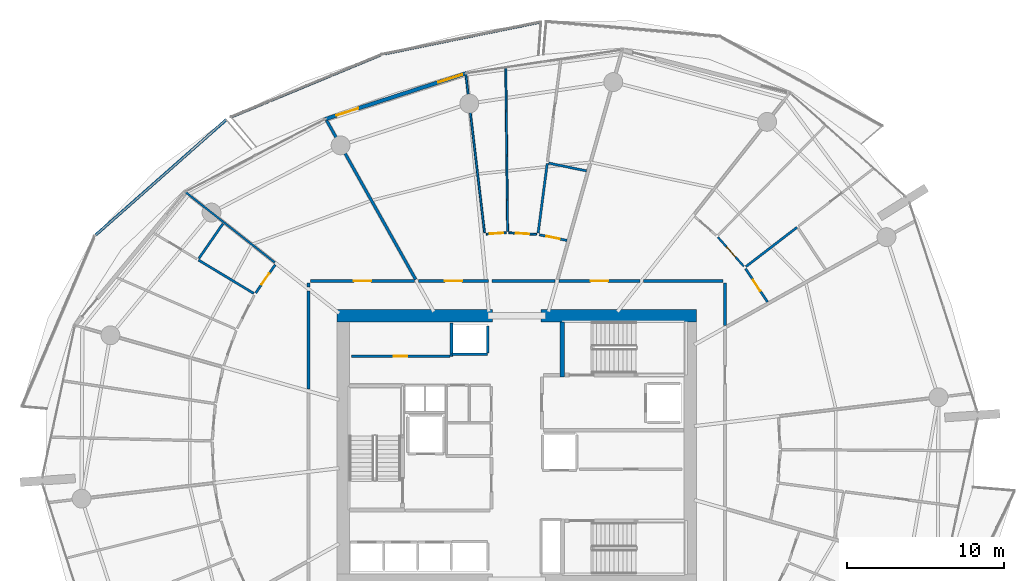
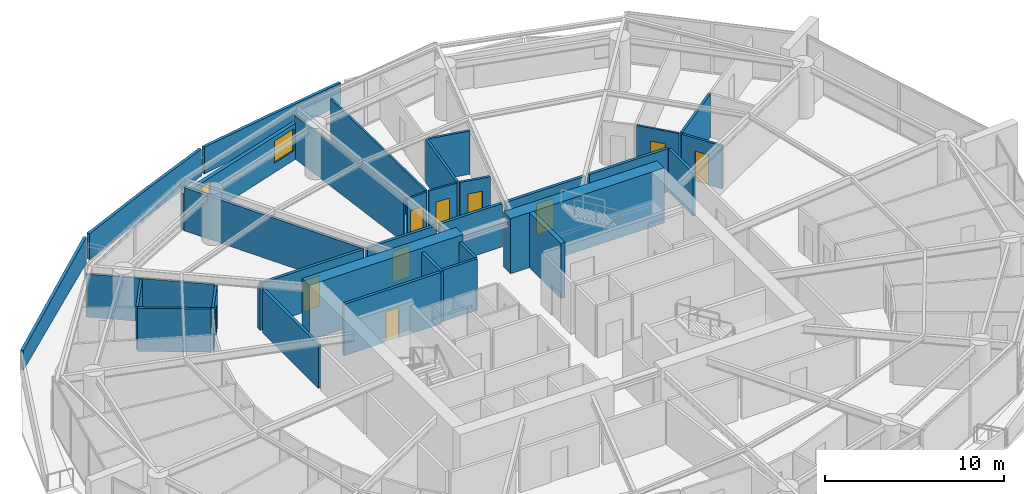
# One storey, part 15 of 23: 34 walls, 11 doors, 1 window, 12 openings.
"""IFC4 building model written with IfcOpenShell, lengths in metres."""

from ifc_helpers import new_model, si_unit, direction, frame, frame_2d, origin, place, context, subcontext, project, spatial, polyline, rectangle, outline, extrude, material, layer, layer_set, type_object, element, fill, save


model = new_model("IFC4")

# Units and contexts
model_context = context("Model", 3, precision=1e-05, world=origin(), true_north=direction((0.0, 1.0)))
body_context = subcontext(model_context, "Body", "Model", "MODEL_VIEW")
ifc_project = project(units=[si_unit("LENGTHUNIT", "METRE"), si_unit("AREAUNIT", "SQUARE_METRE"), si_unit("VOLUMEUNIT", "CUBIC_METRE"), si_unit("PLANEANGLEUNIT", "RADIAN"), si_unit("MASSUNIT", "GRAM", prefix="KILO")], contexts=[model_context])

# Site, building, storey
site_placement = place(None, origin())
site = spatial("IfcSite", under=ifc_project, at=site_placement, CompositionType="ELEMENT")
building_placement = place(site_placement, origin())
building = spatial("IfcBuilding", under=site, at=building_placement, Name="Kazma Halo Residences", CompositionType="ELEMENT")
storey_placement = place(building_placement, frame((0.0, 0.0, 86.39990234375)))
storey = spatial("IfcBuildingStorey", under=building, at=storey_placement, Name="L21", CompositionType="ELEMENT", Elevation=86.39990234375)

# Walls
ifc_material_1 = material(Name="White Concrete C50/60 Balustrade", Category="concrete")
ifc_layer_1 = layer(ifc_material_1, 0.179931640625)
ifc_layer_set_1 = layer_set([ifc_layer_1], Name="White Concrete C50/60 Balustrade")
wall_type_1 = type_object("IfcWallType", Name="WL-BAL-WAVE-180", PredefinedType="PARAPET", material=ifc_layer_set_1)
wall_1_placement = place(storey_placement, frame((49.963134765625, 69.054931640625, 0.0), z_axis=(0.0, 0.0, 1.0), x_axis=(-0.979793885894, -0.200009852668, 0.0)))
element("IfcWall", 1, at=wall_1_placement, inside=storey, type_object=wall_type_1, Name="L21 white wave balustrade wall NNW.1", PredefinedType="PARAPET", context=body_context, shape_type="SweptSolid", body=[
    extrude(outline(polyline([(0.0, 0.0), (10.1728515625, 0.0), (10.1728515625, 1.83203125), (5.08642578125, 1.696044921875), (0.0, 1.4970703125), (0.0, 0.0)])), frame((0.0, 0.08984375, 0.0), z_axis=(0.0, -1.0, 0.0), x_axis=(1.0, 0.0, 0.0)), (0.0, 0.0, 1.0), 0.179931640625),
])
wall_2_placement = place(storey_placement, frame((39.767333984375, 66.9501953125, 0.0), z_axis=(0.0, 0.0, 1.0), x_axis=(-0.92370541506, -0.383103518894, 0.0)))
element("IfcWall", 2, at=wall_2_placement, inside=storey, type_object=wall_type_1, Name="L21 white wave balustrade wall NNW.2", PredefinedType="PARAPET", context=body_context, shape_type="SweptSolid", body=[
    extrude(outline(polyline([(0.0, 0.0), (10.27734375, 0.0), (10.27734375, 1.756103515625), (5.138671875, 1.85302734375), (0.0, 1.83203125), (0.0, 0.0)])), frame((0.0, 0.08984375, 0.0), z_axis=(0.0, -1.0, 0.0), x_axis=(1.0, 0.0, 0.0)), (0.0, 0.0, 1.0), 0.179931640625),
])
wall_3_placement = place(storey_placement, frame((29.978271484375, 62.841796875, 0.0), z_axis=(0.0, 0.0, 1.0), x_axis=(-0.749623748339, -0.661864212604, 0.0)))
element("IfcWall", 3, at=wall_3_placement, inside=storey, type_object=wall_type_1, Name="L21 white wave balustrade wall NW.1", PredefinedType="PARAPET", context=body_context, shape_type="SweptSolid", body=[
    extrude(outline(polyline([(0.0, 0.0), (11.0498046875, 0.0), (11.0498046875, 1.34814453125), (5.52490234375, 1.56201171875), (0.0, 1.7470703125), (0.0, 0.0)])), frame((0.0, 0.08984375, 0.0), z_axis=(0.0, -1.0, 0.0), x_axis=(1.0, 0.0, 0.0)), (0.0, 0.0, 1.0), 0.179931640625),
])
ifc_material_2 = material(Name="Concrete C80/95", Category="concrete")
ifc_layer_2 = layer(ifc_material_2, 0.800048828125)
ifc_layer_set_2 = layer_set([ifc_layer_2], Name="Concrete C80/95")
wall_type_2 = type_object("IfcWallType", Name="WL-CORE-800", PredefinedType="SHEAR", material=ifc_layer_set_2)
wall_4_placement = place(storey_placement, frame((37.0, 50.39990234375, 0.0), z_axis=(0.0, 0.0, 1.0), x_axis=(1.0, 0.0, 0.0)))
element("IfcWall", 4, at=wall_4_placement, inside=storey, type_object=wall_type_2, Name="L21 central core shear wall NW", PredefinedType="SHEAR", context=body_context, shape_type="SweptSolid", body=[
    extrude(rectangle(XDim=9.89990234375, YDim=0.800048828125, at=frame_2d((4.949951171875, 0.0))), origin(), (0.0, 0.0, 1.0), 3.75),
])
wall_5_placement = place(storey_placement, frame((49.949951171875, 50.39990234375, 0.0), z_axis=(0.0, 0.0, 1.0), x_axis=(1.0, 0.0, 0.0)))
element("IfcWall", 5, at=wall_5_placement, inside=storey, type_object=wall_type_2, Name="L21 central core shear wall NE", PredefinedType="SHEAR", context=body_context, shape_type="SweptSolid", body=[
    extrude(rectangle(XDim=9.900146484375, YDim=0.800048828125, at=frame_2d((4.9501953125, 0.0))), origin(), (0.0, 0.0, 1.0), 3.75),
])
ifc_material_3 = material(Name="Concrete C60/75", Category="concrete")
ifc_layer_3 = layer(ifc_material_3, 0.280029296875)
ifc_layer_set_3 = layer_set([ifc_layer_3], Name="Concrete C60/75")
wall_type_3 = type_object("IfcWallType", Name="WL-CORE-ST-280", PredefinedType="SHEAR", material=ifc_layer_set_3)
wall_6_placement = place(storey_placement, frame((51.31005859375, 46.5, 0.0), z_axis=(0.0, 0.0, 1.0), x_axis=(0.0, 1.0, 0.0)))
element("IfcWall", 6, at=wall_6_placement, inside=storey, type_object=wall_type_3, Name="L21 stairwell bearing wall ST02-W", PredefinedType="SHEAR", context=body_context, shape_type="SweptSolid", body=[
    extrude(rectangle(XDim=3.5, YDim=0.280029296875, at=frame_2d((1.75, 0.0))), origin(), (0.0, 0.0, 1.0), 3.75),
])
ifc_material_4 = material(Name="Acoustic Twin-Stud Gypsum")
ifc_layer_4 = layer(ifc_material_4, 0.179931640625)
ifc_layer_set_4 = layer_set([ifc_layer_4], Name="Acoustic Twin-Stud Gypsum")
wall_type_4 = type_object("IfcWallType", Name="WL-DEM-180", PredefinedType="PARTITIONING", material=ifc_layer_set_4)
wall_7_placement = place(storey_placement, frame((42.010009765625, 52.696044921875, 0.0), z_axis=(0.0, 0.0, 1.0), x_axis=(-0.488628442553, 0.872491974249, 0.0)))
element("IfcWall", 7, at=wall_7_placement, inside=storey, type_object=wall_type_4, Name="L21 apartment demising radial wall 04", PredefinedType="PARTITIONING", context=body_context, shape_type="SweptSolid", body=[
    extrude(rectangle(XDim=11.563232421875, YDim=0.179931640625, at=frame_2d((5.78173828125, 0.0))), origin(), (0.0, 0.0, 1.0), 2.940185546875),
])

# Wall, opening, door
wall_8_placement = place(storey_placement, frame((41.943603515625, 52.60009765625, 0.0), z_axis=(0.0, 0.0, 1.0), x_axis=(-1.0, 0.0, 0.0)))
wall_8 = element("IfcWall", 8, at=wall_8_placement, inside=storey, type_object=wall_type_4, Name="L21 Apartment 1 entrance corridor wall", PredefinedType="PARTITIONING", context=body_context, shape_type="SweptSolid", body=[
    extrude(rectangle(XDim=6.62353515625, YDim=0.179931640625, at=frame_2d((3.311767578125, 0.0))), origin(), (0.0, 0.0, 1.0), 2.940185546875),
])
opening_1_placement = place(wall_8_placement, frame((2.76171875, 0.0, 0.0)))
opening_1 = element("IfcOpeningElement", 9, at=opening_1_placement, cuts=wall_8, Name="Opening DA-1100", PredefinedType="OPENING", context=body_context, shape_type="SweptSolid", body=[
    extrude(rectangle(XDim=1.10009765625, YDim=2.10009765625, at=frame_2d((0.550048828125, 1.050048828125))), frame((0.0, 0.099853515625, 0.0), z_axis=(0.0, -1.0, 0.0), x_axis=(1.0, 0.0, 0.0)), (0.0, 0.0, 1.0), 0.199951171875),
])
ifc_material_5 = material(Name="Acoustic Walnut Fire Leaf")
door_type_1 = type_object("IfcDoorType", Name="DR-FD60-1100", OperationType="NOTDEFINED", PredefinedType="DOOR", material=ifc_material_5)
door_1_placement = place(opening_1_placement, origin())
door_1 = element("IfcDoor", 10, at=door_1_placement, inside=storey, type_object=door_type_1, Name="L21 Apartment 1 entrance fire door", OperationType="SINGLE_SWING_LEFT", OverallHeight=2.10009765625, OverallWidth=1.10009765625, PredefinedType="DOOR", context=body_context, shape_type="SweptSolid", body=[
    extrude(rectangle(XDim=1.10009765625, YDim=2.10009765625, at=frame_2d((0.550048828125, 1.050048828125))), frame((0.0, 0.02490234375, 0.0), z_axis=(0.0, -1.0, 0.0), x_axis=(1.0, 0.0, 0.0)), (0.0, 0.0, 1.0), 0.050048828125),
])
fill(opening_1, door_1)

# Walls
wall_9_placement = place(storey_placement, frame((35.199951171875, 52.47998046875, 0.0), z_axis=(0.0, 0.0, 1.0), x_axis=(0.0, -1.0, 0.0)))
element("IfcWall", 11, at=wall_9_placement, inside=storey, type_object=wall_type_4, Name="L21 Apartment 1 entrance corridor wall", PredefinedType="PARTITIONING", context=body_context, shape_type="SweptSolid", body=[
    extrude(rectangle(XDim=0.269287109375, YDim=0.179931640625, at=frame_2d((0.134765625, 0.0))), origin(), (0.0, 0.0, 1.0), 2.940185546875),
])
wall_10_placement = place(storey_placement, frame((35.199951171875, 51.970703125, 0.0), z_axis=(0.0, 0.0, 1.0), x_axis=(0.0, -1.0, 0.0)))
element("IfcWall", 12, at=wall_10_placement, inside=storey, type_object=wall_type_4, Name="L21 Apartment 1 inner wall 5", PredefinedType="PARTITIONING", context=body_context, shape_type="SweptSolid", body=[
    extrude(rectangle(XDim=6.24072265625, YDim=0.179931640625, at=frame_2d((3.120361328125, 0.0))), origin(), (0.0, 0.0, 1.0), 2.940185546875),
])

# Wall, opening, door
wall_11_placement = place(storey_placement, frame((56.236328125, 52.60009765625, 0.0), z_axis=(0.0, 0.0, 1.0), x_axis=(-1.0, 0.0, 0.0)))
wall_11 = element("IfcWall", 13, at=wall_11_placement, inside=storey, type_object=wall_type_4, Name="L21 Apartment 5 entrance corridor wall", PredefinedType="PARTITIONING", context=body_context, shape_type="SweptSolid", body=[
    extrude(rectangle(XDim=5.126708984375, YDim=0.179931640625, at=frame_2d((2.5634765625, 0.0))), origin(), (0.0, 0.0, 1.0), 2.940185546875),
])
opening_2_placement = place(wall_11_placement, frame((2.013427734375, 0.0, 0.0)))
opening_2 = element("IfcOpeningElement", 14, at=opening_2_placement, cuts=wall_11, Name="Opening DA-1100", PredefinedType="OPENING", context=body_context, shape_type="SweptSolid", body=[
    extrude(rectangle(XDim=1.10009765625, YDim=2.10009765625, at=frame_2d((0.550048828125, 1.050048828125))), frame((0.0, 0.099853515625, 0.0), z_axis=(0.0, -1.0, 0.0), x_axis=(1.0, 0.0, 0.0)), (0.0, 0.0, 1.0), 0.199951171875),
])
door_2_placement = place(opening_2_placement, origin())
door_2 = element("IfcDoor", 15, at=door_2_placement, inside=storey, type_object=door_type_1, Name="L21 Apartment 5 entrance fire door", OperationType="SINGLE_SWING_LEFT", OverallHeight=2.10009765625, OverallWidth=1.10009765625, PredefinedType="DOOR", context=body_context, shape_type="SweptSolid", body=[
    extrude(rectangle(XDim=1.10009765625, YDim=2.10009765625, at=frame_2d((0.550048828125, 1.050048828125))), frame((0.0, 0.02490234375, 0.0), z_axis=(0.0, -1.0, 0.0), x_axis=(1.0, 0.0, 0.0)), (0.0, 0.0, 1.0), 0.050048828125),
])
fill(opening_2, door_2)

# Walls
wall_12_placement = place(storey_placement, frame((61.64990234375, 49.764404296875, 0.0), z_axis=(0.0, 0.0, 1.0), x_axis=(0.0, 1.0, 0.0)))
element("IfcWall", 16, at=wall_12_placement, inside=storey, type_object=wall_type_4, Name="L21 Apartment 5 inner wall 0", PredefinedType="PARTITIONING", context=body_context, shape_type="SweptSolid", body=[
    extrude(rectangle(XDim=2.715576171875, YDim=0.179931640625, at=frame_2d((1.35791015625, 0.0))), origin(), (0.0, 0.0, 1.0), 2.940185546875),
])
wall_13_placement = place(storey_placement, frame((61.530029296875, 52.60009765625, 0.0), z_axis=(0.0, 0.0, 1.0), x_axis=(-1.0, 0.0, 0.0)))
element("IfcWall", 17, at=wall_13_placement, inside=storey, type_object=wall_type_4, Name="L21 Apartment 5 inner wall 0", PredefinedType="PARTITIONING", context=body_context, shape_type="SweptSolid", body=[
    extrude(rectangle(XDim=5.0537109375, YDim=0.179931640625, at=frame_2d((2.52685546875, 0.0))), origin(), (0.0, 0.0, 1.0), 2.940185546875),
])

# Wall, opening, door
wall_14_placement = place(storey_placement, frame((46.62548828125, 52.60009765625, 0.0), z_axis=(0.0, 0.0, 1.0), x_axis=(-1.0, 0.0, 0.0)))
wall_14 = element("IfcWall", 18, at=wall_14_placement, inside=storey, type_object=wall_type_4, Name="L21 Apartment 6 entrance corridor wall", PredefinedType="PARTITIONING", context=body_context, shape_type="SweptSolid", body=[
    extrude(rectangle(XDim=4.44189453125, YDim=0.179931640625, at=frame_2d((2.220947265625, 0.0))), origin(), (0.0, 0.0, 1.0), 2.940185546875),
])
opening_3_placement = place(wall_14_placement, frame((1.6708984375, 0.0, 0.0)))
opening_3 = element("IfcOpeningElement", 19, at=opening_3_placement, cuts=wall_14, Name="Opening DA-1100", PredefinedType="OPENING", context=body_context, shape_type="SweptSolid", body=[
    extrude(rectangle(XDim=1.10009765625, YDim=2.10009765625, at=frame_2d((0.550048828125, 1.050048828125))), frame((0.0, 0.099853515625, 0.0), z_axis=(0.0, -1.0, 0.0), x_axis=(1.0, 0.0, 0.0)), (0.0, 0.0, 1.0), 0.199951171875),
])
door_3_placement = place(opening_3_placement, origin())
door_3 = element("IfcDoor", 20, at=door_3_placement, inside=storey, type_object=door_type_1, Name="L21 Apartment 6 entrance fire door", OperationType="SINGLE_SWING_RIGHT", OverallHeight=2.10009765625, OverallWidth=1.10009765625, PredefinedType="DOOR", context=body_context, shape_type="SweptSolid", body=[
    extrude(rectangle(XDim=1.10009765625, YDim=2.10009765625, at=frame_2d((0.550048828125, 1.050048828125))), frame((0.0, 0.02490234375, 0.0), z_axis=(0.0, -1.0, 0.0), x_axis=(1.0, 0.0, 0.0)), (0.0, 0.0, 1.0), 0.050048828125),
])
fill(opening_3, door_3)

# Wall
wall_15_placement = place(storey_placement, frame((50.869384765625, 52.60009765625, 0.0), z_axis=(0.0, 0.0, 1.0), x_axis=(-1.0, 0.0, 0.0)))
element("IfcWall", 21, at=wall_15_placement, inside=storey, type_object=wall_type_4, Name="L21 Apartment 6 inner wall 2", PredefinedType="PARTITIONING", context=body_context, shape_type="SweptSolid", body=[
    extrude(rectangle(XDim=4.00390625, YDim=0.179931640625, at=frame_2d((2.001953125, 0.0))), origin(), (0.0, 0.0, 1.0), 2.940185546875),
])

# Wall, openings, door, window
ifc_material_6 = material(Name="Insulated Pale-Metal Composite Wall")
ifc_layer_5 = layer(ifc_material_6, 0.239990234375)
ifc_layer_set_5 = layer_set([ifc_layer_5], Name="Insulated Pale-Metal Composite Wall")
wall_type_5 = type_object("IfcWallType", Name="WL-EXT-HOST-240", PredefinedType="SOLIDWALL", material=ifc_layer_set_5)
wall_16_placement = place(storey_placement, frame((45.23291015625, 65.797119140625, 0.0), z_axis=(0.0, 0.0, 1.0), x_axis=(-0.951052494852, -0.30902937083, 0.0)))
wall_16 = element("IfcWall", 22, at=wall_16_placement, inside=storey, type_object=wall_type_5, Name="L21 exterior terrace-access wall B04", PredefinedType="SOLIDWALL", context=body_context, shape_type="SweptSolid", body=[
    extrude(rectangle(XDim=9.44384765625, YDim=0.239990234375, at=frame_2d((4.721923828125, 0.0))), origin(), (0.0, 0.0, 1.0), 2.4501953125),
])
opening_4_placement = place(wall_16_placement, frame((7.223876953125, 0.0, 0.0)))
opening_4 = element("IfcOpeningElement", 23, at=opening_4_placement, cuts=wall_16, Name="Opening DTR-1600", PredefinedType="OPENING", context=body_context, shape_type="SweptSolid", body=[
    extrude(rectangle(XDim=1.449951171875, YDim=2.14990234375, at=frame_2d((0.72509765625, 1.074951171875))), frame((0.0, 0.1298828125, 0.0), z_axis=(0.0, -1.0, 0.0), x_axis=(1.0, 0.0, 0.0)), (0.0, 0.0, 1.0), 0.260009765625),
])
opening_5_placement = place(wall_16_placement, frame((0.280029296875, 0.0, 0.64990234375)))
opening_5 = element("IfcOpeningElement", 24, at=opening_5_placement, cuts=wall_16, Name="Opening W-1800", PredefinedType="OPENING", context=body_context, shape_type="SweptSolid", body=[
    extrude(rectangle(XDim=1.60009765625, YDim=1.5, at=frame_2d((0.800048828125, 0.75))), frame((0.0, 0.1298828125, 0.0), z_axis=(0.0, -1.0, 0.0), x_axis=(1.0, 0.0, 0.0)), (0.0, 0.0, 1.0), 0.260009765625),
])
ifc_material_7 = material(Name="Aluminium AW-6063 T6 Double-Glazed Terrace Door", Category="aluminium")
door_type_2 = type_object("IfcDoorType", Name="DR-EXT-TERR-1600", OperationType="NOTDEFINED", PredefinedType="DOOR", material=ifc_material_7)
door_4_placement = place(opening_4_placement, origin())
door_4 = element("IfcDoor", 25, at=door_4_placement, inside=storey, type_object=door_type_2, Name="L21 B04 balcony terrace door", OperationType="DOUBLE_DOOR_SLIDING", OverallHeight=2.14990234375, OverallWidth=1.449951171875, PredefinedType="DOOR", context=body_context, shape_type="SweptSolid", body=[
    extrude(rectangle(XDim=1.449951171875, YDim=2.14990234375, at=frame_2d((0.72509765625, 1.074951171875))), frame((0.0, 0.02490234375, 0.0), z_axis=(0.0, -1.0, 0.0), x_axis=(1.0, 0.0, 0.0)), (0.0, 0.0, 1.0), 0.050048828125),
])
fill(opening_4, door_4)
ifc_material_8 = material(Name="Clear Triple-Silver Low-E Glass in Aluminium AW-6063 T6 Frame", Category="aluminium")
window_type = type_object("IfcWindowType", Name="WIN-RES-1800", PartitioningType="DOUBLE_PANEL_VERTICAL", PredefinedType="WINDOW", material=ifc_material_8)
window_placement = place(opening_5_placement, origin())
window = element("IfcWindow", 26, at=window_placement, inside=storey, type_object=window_type, Name="L21 B04 apartment window", OverallHeight=1.5, OverallWidth=1.60009765625, PartitioningType="SINGLE_PANEL", PredefinedType="WINDOW", context=body_context, shape_type="SweptSolid", body=[
    extrude(rectangle(XDim=1.60009765625, YDim=1.5, at=frame_2d((0.800048828125, 0.75))), frame((0.0, 0.030029296875, 0.0), z_axis=(0.0, -1.0, 0.0), x_axis=(1.0, 0.0, 0.0)), (0.0, 0.0, 1.0), 0.06005859375),
])
fill(opening_5, window)

# Walls
ifc_material_9 = material(Name="Fire-Rated Blockwork Masonry", Category="masonry")
ifc_layer_6 = layer(ifc_material_9, 0.199951171875)
ifc_layer_set_6 = layer_set([ifc_layer_6], Name="Fire-Rated Blockwork Masonry")
wall_type_6 = type_object("IfcWallType", Name="WL-FLB-200", PredefinedType="PARTITIONING", material=ifc_layer_set_6)
wall_17_placement = place(storey_placement, frame((46.580078125, 47.945068359375, 0.0), z_axis=(0.0, 0.0, 1.0), x_axis=(-1.0, 0.0, 0.0)))
element("IfcWall", 27, at=wall_17_placement, inside=storey, type_object=wall_type_6, Name="L21 lift shaft PX-01 front wall", PredefinedType="PARTITIONING", context=body_context, shape_type="SweptSolid", body=[
    extrude(rectangle(XDim=2.260009765625, YDim=0.159912109375, at=frame_2d((1.1298828125, 0.0))), origin(), (0.0, 0.0, 1.0), 3.5),
])
wall_18_placement = place(storey_placement, frame((46.580078125, 48.044921875, 0.0), z_axis=(0.0, 0.0, 1.0), x_axis=(0.0, 1.0, 0.0)))
element("IfcWall", 28, at=wall_18_placement, inside=storey, type_object=wall_type_6, Name="L21 lift shaft PX-01 side wall E", PredefinedType="PARTITIONING", context=body_context, shape_type="SweptSolid", body=[
    extrude(rectangle(XDim=1.7099609375, YDim=0.159912109375, at=frame_2d((0.85498046875, 0.0))), origin(), (0.0, 0.0, 1.0), 3.5),
])

# Wall, opening, door
wall_19_placement = place(storey_placement, frame((37.919921875, 47.820068359375, 0.0), z_axis=(0.0, 0.0, 1.0), x_axis=(1.0, 0.0, 0.0)))
wall_19 = element("IfcWall", 29, at=wall_19_placement, inside=storey, type_object=wall_type_6, Name="L21 core north reserve wall", PredefinedType="PARTITIONING", context=body_context, shape_type="SweptSolid", body=[
    extrude(rectangle(XDim=6.260009765625, YDim=0.179931640625, at=frame_2d((3.1298828125, 0.0))), origin(), (0.0, 0.0, 1.0), 3.5),
])
opening_6_placement = place(wall_19_placement, frame((2.705078125, 0.0, 0.0)))
opening_6 = element("IfcOpeningElement", 30, at=opening_6_placement, cuts=wall_19, Name="Opening DS-850", PredefinedType="OPENING", context=body_context, shape_type="SweptSolid", body=[
    extrude(rectangle(XDim=0.85009765625, YDim=2.06005859375, at=frame_2d((0.425048828125, 1.030029296875))), frame((0.0, 0.099853515625, 0.0), z_axis=(0.0, -1.0, 0.0), x_axis=(1.0, 0.0, 0.0)), (0.0, 0.0, 1.0), 0.199951171875),
])
ifc_material_10 = material(Name="Painted Steel Access Leaf", Category="steel")
door_type_3 = type_object("IfcDoorType", Name="DR-SVC-850", OperationType="NOTDEFINED", PredefinedType="DOOR", material=ifc_material_10)
door_5_placement = place(opening_6_placement, origin())
door_5 = element("IfcDoor", 31, at=door_5_placement, inside=storey, type_object=door_type_3, Name="L21 core north reserve door", OperationType="SINGLE_SWING_LEFT", OverallHeight=2.06005859375, OverallWidth=0.85009765625, PredefinedType="DOOR", context=body_context, shape_type="SweptSolid", body=[
    extrude(rectangle(XDim=0.85009765625, YDim=2.06005859375, at=frame_2d((0.425048828125, 1.030029296875))), frame((0.0, 0.02490234375, 0.0), z_axis=(0.0, -1.0, 0.0), x_axis=(1.0, 0.0, 0.0)), (0.0, 0.0, 1.0), 0.050048828125),
])
fill(opening_6, door_5)

# Walls
wall_20_placement = place(storey_placement, frame((44.280029296875, 47.820068359375, 0.0), z_axis=(0.0, 0.0, 1.0), x_axis=(0.0, 1.0, 0.0)))
element("IfcWall", 32, at=wall_20_placement, inside=storey, type_object=wall_type_6, Name="L21 PX-01 hoistway west wall", PredefinedType="PARTITIONING", context=body_context, shape_type="SweptSolid", body=[
    extrude(rectangle(XDim=2.1298828125, YDim=0.179931640625, at=frame_2d((1.06494140625, 0.0))), origin(), (0.0, 0.0, 1.0), 3.5),
])
ifc_material_11 = material(Name="Gypsum Plasterboard Partition")
ifc_layer_7 = layer(ifc_material_11, 0.125)
ifc_layer_set_7 = layer_set([ifc_layer_7], Name="Gypsum Plasterboard Partition")
wall_type_7 = type_object("IfcWallType", Name="WL-PART-125", PredefinedType="PARTITIONING", material=ifc_layer_set_7)
wall_21_placement = place(storey_placement, frame((33.064208984375, 53.7744140625, 0.0), z_axis=(0.0, 0.0, 1.0), x_axis=(-0.785299836557, 0.61911563274, 0.0)))
element("IfcWall", 33, at=wall_21_placement, inside=storey, type_object=wall_type_7, Name="L21 Apartment 1 radial partition 5", PredefinedType="PARTITIONING", context=body_context, shape_type="SweptSolid", body=[
    extrude(rectangle(XDim=7.21923828125, YDim=0.125, at=frame_2d((3.609619140625, 0.0))), origin(), (0.0, 0.0, 1.0), 2.940185546875),
])

# Wall, opening, door
wall_22_placement = place(storey_placement, frame((62.84619140625, 53.52685546875, 0.0), z_axis=(0.0, 0.0, 1.0), x_axis=(-0.663881646848, 0.747837655497, 0.0)))
wall_22 = element("IfcWall", 34, at=wall_22_placement, inside=storey, type_object=wall_type_7, Name="L21 Apartment 5 Gourmet Kitchen hall wall", PredefinedType="PARTITIONING", context=body_context, shape_type="SweptSolid", body=[
    extrude(rectangle(XDim=2.4833984375, YDim=0.125, at=frame_2d((1.24169921875, 0.0))), origin(), (0.0, 0.0, 1.0), 2.940185546875),
])
opening_7_placement = place(wall_22_placement, frame((0.816650390625, 0.0, 0.0)))
opening_7 = element("IfcOpeningElement", 35, at=opening_7_placement, cuts=wall_22, Name="Opening DB-900", PredefinedType="OPENING", context=body_context, shape_type="SweptSolid", body=[
    extrude(rectangle(XDim=0.85009765625, YDim=2.06005859375, at=frame_2d((0.425048828125, 1.030029296875))), frame((0.0, 0.072509765625, 0.0), z_axis=(0.0, -1.0, 0.0), x_axis=(1.0, 0.0, 0.0)), (0.0, 0.0, 1.0), 0.14501953125),
])
ifc_material_12 = material(Name="Moisture-Sealed Timber Leaf", Category="wood")
door_type_4 = type_object("IfcDoorType", Name="DR-BTH-900", OperationType="NOTDEFINED", PredefinedType="DOOR", material=ifc_material_12)
door_6_placement = place(opening_7_placement, origin())
door_6 = element("IfcDoor", 36, at=door_6_placement, inside=storey, type_object=door_type_4, Name="L21 Apartment 5 Gourmet Kitchen door", OperationType="SINGLE_SWING_RIGHT", OverallHeight=2.06005859375, OverallWidth=0.85009765625, PredefinedType="DOOR", context=body_context, shape_type="SweptSolid", body=[
    extrude(rectangle(XDim=0.85009765625, YDim=2.06005859375, at=frame_2d((0.425048828125, 1.030029296875))), frame((0.0, 0.02490234375, 0.0), z_axis=(0.0, -1.0, 0.0), x_axis=(1.0, 0.0, 0.0)), (0.0, 0.0, 1.0), 0.050048828125),
])
fill(opening_7, door_6)

# Walls
wall_23_placement = place(storey_placement, frame((46.381591796875, 55.673583984375, 0.0), z_axis=(0.0, 0.0, 1.0), x_axis=(-0.117533197276, 0.99306895407, 0.0)))
element("IfcWall", 37, at=wall_23_placement, inside=storey, type_object=wall_type_7, Name="L21 Apartment 6 living radial partition 2", PredefinedType="PARTITIONING", context=body_context, shape_type="SweptSolid", body=[
    extrude(rectangle(XDim=10.1533203125, YDim=0.125, at=frame_2d((5.07666015625, 0.0))), origin(), (0.0, 0.0, 1.0), 2.940185546875),
])
wall_24_placement = place(storey_placement, frame((47.84521484375, 55.758056640625, 0.0), z_axis=(0.0, 0.0, 1.0), x_axis=(-0.011264572172, 0.999936552694, 0.0)))
element("IfcWall", 38, at=wall_24_placement, inside=storey, type_object=wall_type_7, Name="L21 Apartment 6 suite divider 2", PredefinedType="PARTITIONING", context=body_context, shape_type="SweptSolid", body=[
    extrude(rectangle(XDim=10.381591796875, YDim=0.125, at=frame_2d((5.19091796875, 0.0))), origin(), (0.0, 0.0, 1.0), 2.940185546875),
])

# Wall, opening, door
wall_25_placement = place(storey_placement, frame((49.681884765625, 55.55908203125, 0.0), z_axis=(0.0, 0.0, 1.0), x_axis=(-0.99824215698, 0.059267158097, 0.0)))
wall_25 = element("IfcWall", 39, at=wall_25_placement, inside=storey, type_object=wall_type_7, Name="L21 Apartment 6 Gourmet Kitchen hall wall", PredefinedType="PARTITIONING", context=body_context, shape_type="SweptSolid", body=[
    extrude(rectangle(XDim=1.759033203125, YDim=0.125, at=frame_2d((0.87939453125, 0.0))), origin(), (0.0, 0.0, 1.0), 2.940185546875),
])
opening_8_placement = place(wall_25_placement, frame((0.45458984375, 0.0, 0.0)))
opening_8 = element("IfcOpeningElement", 40, at=opening_8_placement, cuts=wall_25, Name="Opening DB-900", PredefinedType="OPENING", context=body_context, shape_type="SweptSolid", body=[
    extrude(rectangle(XDim=0.85009765625, YDim=2.06005859375, at=frame_2d((0.425048828125, 1.030029296875))), frame((0.0, 0.072509765625, 0.0), z_axis=(0.0, -1.0, 0.0), x_axis=(1.0, 0.0, 0.0)), (0.0, 0.0, 1.0), 0.14501953125),
])
door_7_placement = place(opening_8_placement, origin())
door_7 = element("IfcDoor", 41, at=door_7_placement, inside=storey, type_object=door_type_4, Name="L21 Apartment 6 Gourmet Kitchen door", OperationType="SINGLE_SWING_RIGHT", OverallHeight=2.06005859375, OverallWidth=0.85009765625, PredefinedType="DOOR", context=body_context, shape_type="SweptSolid", body=[
    extrude(rectangle(XDim=0.85009765625, YDim=2.06005859375, at=frame_2d((0.425048828125, 1.030029296875))), frame((0.0, 0.02490234375, 0.0), z_axis=(0.0, -1.0, 0.0), x_axis=(1.0, 0.0, 0.0)), (0.0, 0.0, 1.0), 0.050048828125),
])
fill(opening_8, door_7)

wall_26_placement = place(storey_placement, frame((47.766357421875, 55.662841796875, 0.0), z_axis=(0.0, 0.0, 1.0), x_axis=(-0.997930857608, -0.064296216329, 0.0)))
wall_26 = element("IfcWall", 42, at=wall_26_placement, inside=storey, type_object=wall_type_7, Name="L21 Apartment 6 Primary Bedroom hall wall", PredefinedType="PARTITIONING", context=body_context, shape_type="SweptSolid", body=[
    extrude(rectangle(XDim=1.27587890625, YDim=0.125, at=frame_2d((0.637939453125, 0.0))), origin(), (0.0, 0.0, 1.0), 2.940185546875),
])
opening_9_placement = place(wall_26_placement, frame((0.212890625, 0.0, 0.0)))
opening_9 = element("IfcOpeningElement", 43, at=opening_9_placement, cuts=wall_26, Name="Opening DB-900", PredefinedType="OPENING", context=body_context, shape_type="SweptSolid", body=[
    extrude(rectangle(XDim=0.85009765625, YDim=2.06005859375, at=frame_2d((0.425048828125, 1.030029296875))), frame((0.0, 0.072509765625, 0.0), z_axis=(0.0, -1.0, 0.0), x_axis=(1.0, 0.0, 0.0)), (0.0, 0.0, 1.0), 0.14501953125),
])
door_8_placement = place(opening_9_placement, origin())
door_8 = element("IfcDoor", 44, at=door_8_placement, inside=storey, type_object=door_type_4, Name="L21 Apartment 6 Primary Bedroom door", OperationType="SINGLE_SWING_LEFT", OverallHeight=2.06005859375, OverallWidth=0.85009765625, PredefinedType="DOOR", context=body_context, shape_type="SweptSolid", body=[
    extrude(rectangle(XDim=0.85009765625, YDim=2.06005859375, at=frame_2d((0.425048828125, 1.030029296875))), frame((0.0, 0.02490234375, 0.0), z_axis=(0.0, -1.0, 0.0), x_axis=(1.0, 0.0, 0.0)), (0.0, 0.0, 1.0), 0.050048828125),
])
fill(opening_9, door_8)

ifc_material_13 = material(Name="Moisture-Resistant Gypsum")
ifc_layer_8 = layer(ifc_material_13, 0.14990234375)
ifc_layer_set_8 = layer_set([ifc_layer_8], Name="Moisture-Resistant Gypsum")
wall_type_8 = type_object("IfcWallType", Name="WL-WET-150", PredefinedType="PARTITIONING", material=ifc_layer_set_8)
wall_27_placement = place(storey_placement, frame((33.085693359375, 53.63037109375, 0.0), z_axis=(0.0, 0.0, 1.0), x_axis=(-0.568917555875, -0.822394561398, 0.0)))
wall_27 = element("IfcWall", 45, at=wall_27_placement, inside=storey, type_object=wall_type_8, Name="L21 Apartment 1 Guest Bathroom hall wall", PredefinedType="PARTITIONING", context=body_context, shape_type="SweptSolid", body=[
    extrude(rectangle(XDim=2.1708984375, YDim=0.14990234375, at=frame_2d((1.08544921875, 0.0))), origin(), (0.0, 0.0, 1.0), 2.940185546875),
])
opening_10_placement = place(wall_27_placement, frame((0.660400390625, 0.0, 0.0)))
opening_10 = element("IfcOpeningElement", 46, at=opening_10_placement, cuts=wall_27, Name="Opening DB-900", PredefinedType="OPENING", context=body_context, shape_type="SweptSolid", body=[
    extrude(rectangle(XDim=0.85009765625, YDim=2.06005859375, at=frame_2d((0.425048828125, 1.030029296875))), frame((0.0, 0.0849609375, 0.0), z_axis=(0.0, -1.0, 0.0), x_axis=(1.0, 0.0, 0.0)), (0.0, 0.0, 1.0), 0.169921875),
])
door_9_placement = place(opening_10_placement, origin())
door_9 = element("IfcDoor", 47, at=door_9_placement, inside=storey, type_object=door_type_4, Name="L21 Apartment 1 Guest Bathroom door", OperationType="SINGLE_SWING_LEFT", OverallHeight=2.06005859375, OverallWidth=0.85009765625, PredefinedType="DOOR", context=body_context, shape_type="SweptSolid", body=[
    extrude(rectangle(XDim=0.85009765625, YDim=2.06005859375, at=frame_2d((0.425048828125, 1.030029296875))), frame((0.0, 0.02490234375, 0.0), z_axis=(0.0, -1.0, 0.0), x_axis=(1.0, 0.0, 0.0)), (0.0, 0.0, 1.0), 0.050048828125),
])
fill(opening_10, door_9)

# Walls
wall_28_placement = place(storey_placement, frame((29.771728515625, 56.242919921875, 0.0), z_axis=(0.0, 0.0, 1.0), x_axis=(-0.568904038121, -0.822403912569, 0.0)))
element("IfcWall", 48, at=wall_28_placement, inside=storey, type_object=wall_type_8, Name="L21 Apartment 1 Guest Bathroom back wall", PredefinedType="PARTITIONING", context=body_context, shape_type="SweptSolid", body=[
    extrude(rectangle(XDim=2.697509765625, YDim=0.14990234375, at=frame_2d((1.3486328125, 0.0))), origin(), (0.0, 0.0, 1.0), 2.940185546875),
])
wall_29_placement = place(storey_placement, frame((31.722412109375, 51.8173828125, 0.0), z_axis=(0.0, 0.0, 1.0), x_axis=(-0.856305556185, 0.516469548422, 0.0)))
element("IfcWall", 49, at=wall_29_placement, inside=storey, type_object=wall_type_8, Name="L21 Apartment 1 Guest Bathroom side wall", PredefinedType="PARTITIONING", context=body_context, shape_type="SweptSolid", body=[
    extrude(rectangle(XDim=4.08984375, YDim=0.14990234375, at=frame_2d((2.044921875, 0.0))), origin(), (0.0, 0.0, 1.0), 2.940185546875),
])

# Wall, opening, door
wall_30_placement = place(storey_placement, frame((64.349609375, 51.2705078125, 0.0), z_axis=(0.0, 0.0, 1.0), x_axis=(-0.550510405652, 0.83482830167, 0.0)))
wall_30 = element("IfcWall", 50, at=wall_30_placement, inside=storey, type_object=wall_type_8, Name="L21 Apartment 5 Guest Bathroom hall wall", PredefinedType="PARTITIONING", context=body_context, shape_type="SweptSolid", body=[
    extrude(rectangle(XDim=2.5322265625, YDim=0.14990234375, at=frame_2d((1.26611328125, 0.0))), origin(), (0.0, 0.0, 1.0), 2.940185546875),
])
opening_11_placement = place(wall_30_placement, frame((0.841064453125, 0.0, 0.0)))
opening_11 = element("IfcOpeningElement", 51, at=opening_11_placement, cuts=wall_30, Name="Opening DB-900", PredefinedType="OPENING", context=body_context, shape_type="SweptSolid", body=[
    extrude(rectangle(XDim=0.85009765625, YDim=2.06005859375, at=frame_2d((0.425048828125, 1.030029296875))), frame((0.0, 0.0849609375, 0.0), z_axis=(0.0, -1.0, 0.0), x_axis=(1.0, 0.0, 0.0)), (0.0, 0.0, 1.0), 0.169921875),
])
door_10_placement = place(opening_11_placement, origin())
door_10 = element("IfcDoor", 52, at=door_10_placement, inside=storey, type_object=door_type_4, Name="L21 Apartment 5 Guest Bathroom door", OperationType="SINGLE_SWING_RIGHT", OverallHeight=2.06005859375, OverallWidth=0.85009765625, PredefinedType="DOOR", context=body_context, shape_type="SweptSolid", body=[
    extrude(rectangle(XDim=0.85009765625, YDim=2.06005859375, at=frame_2d((0.425048828125, 1.030029296875))), frame((0.0, 0.02490234375, 0.0), z_axis=(0.0, -1.0, 0.0), x_axis=(1.0, 0.0, 0.0)), (0.0, 0.0, 1.0), 0.050048828125),
])
fill(opening_11, door_10)

# Wall
wall_31_placement = place(storey_placement, frame((62.9775390625, 53.514404296875, 0.0), z_axis=(0.0, 0.0, 1.0), x_axis=(0.792801485355, 0.609479946199, 0.0)))
element("IfcWall", 53, at=wall_31_placement, inside=storey, type_object=wall_type_8, Name="L21 Apartment 5 Guest Bathroom side wall", PredefinedType="PARTITIONING", context=body_context, shape_type="SweptSolid", body=[
    extrude(rectangle(XDim=4.08984375, YDim=0.14990234375, at=frame_2d((2.044921875, 0.0))), origin(), (0.0, 0.0, 1.0), 2.940185546875),
])

# Wall, opening, door
wall_32_placement = place(storey_placement, frame((51.6123046875, 55.17578125, 0.0), z_axis=(0.0, 0.0, 1.0), x_axis=(-0.979559973395, 0.201152326663, 0.0)))
wall_32 = element("IfcWall", 54, at=wall_32_placement, inside=storey, type_object=wall_type_8, Name="L21 Apartment 6 Guest Bathroom hall wall", PredefinedType="PARTITIONING", context=body_context, shape_type="SweptSolid", body=[
    extrude(rectangle(XDim=1.7890625, YDim=0.14990234375, at=frame_2d((0.89453125, 0.0))), origin(), (0.0, 0.0, 1.0), 2.940185546875),
])
opening_12_placement = place(wall_32_placement, frame((0.469482421875, 0.0, 0.0)))
opening_12 = element("IfcOpeningElement", 55, at=opening_12_placement, cuts=wall_32, Name="Opening DB-900", PredefinedType="OPENING", context=body_context, shape_type="SweptSolid", body=[
    extrude(rectangle(XDim=0.85009765625, YDim=2.06005859375, at=frame_2d((0.425048828125, 1.030029296875))), frame((0.0, 0.0849609375, 0.0), z_axis=(0.0, -1.0, 0.0), x_axis=(1.0, 0.0, 0.0)), (0.0, 0.0, 1.0), 0.169921875),
])
door_11_placement = place(opening_12_placement, origin())
door_11 = element("IfcDoor", 56, at=door_11_placement, inside=storey, type_object=door_type_4, Name="L21 Apartment 6 Guest Bathroom door", OperationType="SINGLE_SWING_RIGHT", OverallHeight=2.06005859375, OverallWidth=0.85009765625, PredefinedType="DOOR", context=body_context, shape_type="SweptSolid", body=[
    extrude(rectangle(XDim=0.85009765625, YDim=2.06005859375, at=frame_2d((0.425048828125, 1.030029296875))), frame((0.0, 0.02490234375, 0.0), z_axis=(0.0, -1.0, 0.0), x_axis=(1.0, 0.0, 0.0)), (0.0, 0.0, 1.0), 0.050048828125),
])
fill(opening_12, door_11)

# Walls
wall_33_placement = place(storey_placement, frame((52.858154296875, 59.593505859375, 0.0), z_axis=(0.0, 0.0, 1.0), x_axis=(-0.979569035828, 0.201108189903, 0.0)))
element("IfcWall", 57, at=wall_33_placement, inside=storey, type_object=wall_type_8, Name="L21 Apartment 6 Guest Bathroom back wall", PredefinedType="PARTITIONING", context=body_context, shape_type="SweptSolid", body=[
    extrude(rectangle(XDim=2.453369140625, YDim=0.14990234375, at=frame_2d((1.2265625, 0.0))), origin(), (0.0, 0.0, 1.0), 2.940185546875),
])
wall_34_placement = place(storey_placement, frame((49.783447265625, 55.642822265625, 0.0), z_axis=(0.0, 0.0, 1.0), x_axis=(0.129624682181, 0.991563130501, 0.0)))
element("IfcWall", 58, at=wall_34_placement, inside=storey, type_object=wall_type_8, Name="L21 Apartment 6 Guest Bathroom side wall", PredefinedType="PARTITIONING", context=body_context, shape_type="SweptSolid", body=[
    extrude(rectangle(XDim=4.4599609375, YDim=0.14990234375, at=frame_2d((2.22998046875, 0.0))), origin(), (0.0, 0.0, 1.0), 2.940185546875),
])

save(model, "model.ifc")
